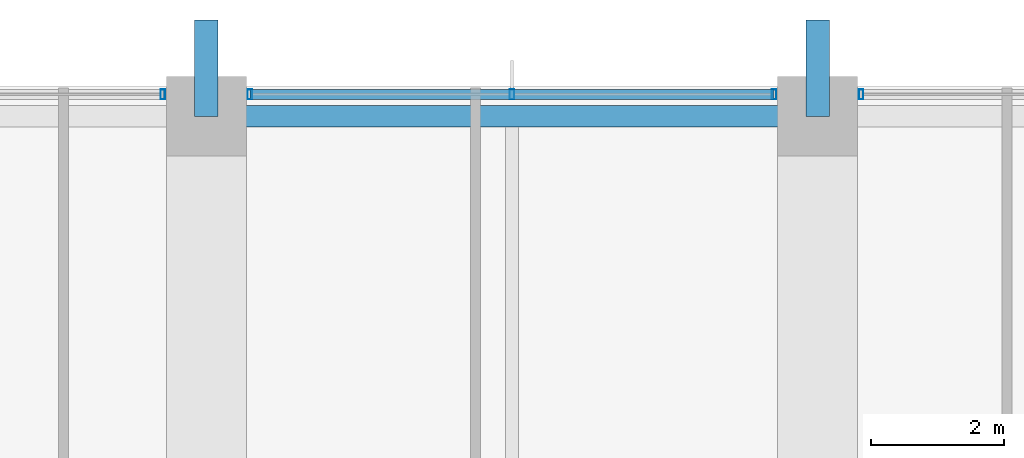
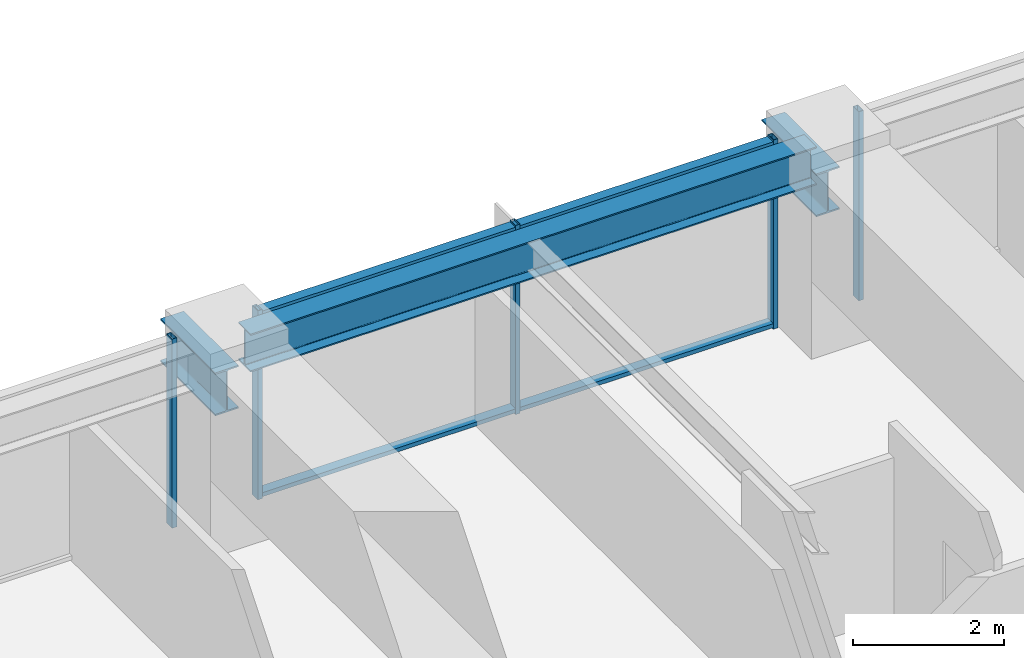
# One storey, part 24 of 39: 7 members, 3 beams, 3 elements without a shape of their own.
"""IFC4 building model written with IfcOpenShell, lengths in metres."""

from ifc_helpers import new_model, si_unit, direction, frame, origin, origin_2d, place, context, subcontext, project, spatial, hollow_rectangle, i_section, extrude, material, material_profile, profile_set, type_object, element, aggregate, save


model = new_model("IFC4")

# Units and contexts
model_context = context("Model", 3, precision=1e-05, world=origin(), true_north=direction((0.0, 1.0)))
body_context = subcontext(model_context, "Body", "Model", "MODEL_VIEW")
ifc_project = project(units=[si_unit("LENGTHUNIT", "METRE"), si_unit("AREAUNIT", "SQUARE_METRE"), si_unit("VOLUMEUNIT", "CUBIC_METRE"), si_unit("PLANEANGLEUNIT", "RADIAN"), si_unit("MASSUNIT", "GRAM", prefix="KILO")], contexts=[model_context])

# Site, building, storey
site_placement = place(None, origin())
site = spatial("IfcSite", under=ifc_project, at=site_placement, CompositionType="ELEMENT")
building_placement = place(site_placement, origin())
building = spatial("IfcBuilding", under=site, at=building_placement, Name="Kolvaren Belvedere", CompositionType="ELEMENT")
storey_placement = place(building_placement, frame((0.0, 0.0, 40.300048828125)))
storey = spatial("IfcBuildingStorey", under=building, at=storey_placement, Name="L11", CompositionType="ELEMENT", Elevation=40.300048828125)

# Beams
ifc_material_1 = material(Name="Structural steel ASTM A992 Grade 50", Category="steel")
ifc_material_profile_1 = material_profile(ifc_material_1, i_section(OverallWidth=0.35498046875, OverallDepth=0.696044921875, WebThickness=0.015380859375, FlangeThickness=0.02490234375, FilletRadius=0.02197265625, at=origin_2d()), Name="W27X146")
ifc_profile_set_1 = profile_set([ifc_material_profile_1], Name="Structural steel ASTM A992 Grade 50")
beam_type_1 = type_object("IfcBeamType", Name="BM-CANT-BAL", PredefinedType="BEAM", material=ifc_profile_set_1)
for number, where, z_axis, x_axis, name in (
    (1, (4.60009765625, 21.550048828125, 2.141845703125), (0.0, 1.0, 0.0), (-1.0, 0.0, 0.0), "L11 North Picture-Frame Column Corbel P"),
    (2, (-4.60009765625, 21.550048828125, 2.141845703125), (0.0, 1.0, 0.0), (-1.0, 0.0, 0.0), "L11 North Picture-Frame Column Corbel M"),
):
    element("IfcBeam", number, at=place(storey_placement, frame(where, z_axis=z_axis, x_axis=x_axis)), inside=storey, type_object=beam_type_1, Name=name, PredefinedType="BEAM", context=body_context, shape_type="SweptSolid", body=[
        extrude(i_section(OverallWidth=0.35498046875, OverallDepth=0.696044921875, WebThickness=0.015380859375, FlangeThickness=0.02490234375, FilletRadius=0.02197265625, at=origin_2d()), origin(), (0.0, 0.0, 1.0), 1.449951171875),
    ])
ifc_material_2 = material(Name="Structural steel ASTM A992 Grade 50", Category="steel")
ifc_material_profile_2 = material_profile(ifc_material_2, i_section(OverallWidth=0.324951171875, OverallDepth=0.615966796875, WebThickness=0.013916015625, FlangeThickness=0.021484375, FilletRadius=0.02001953125, at=origin_2d()), Name="W24X117")
ifc_profile_set_2 = profile_set([ifc_material_profile_2], Name="Structural steel ASTM A992 Grade 50")
beam_type_2 = type_object("IfcBeamType", Name="BM-SPAN-W24X117", PredefinedType="SPANDREL", material=ifc_profile_set_2)
beam_placement = place(storey_placement, frame((4.330078125, 21.550048828125, 2.751953125), z_axis=(-1.0, 0.0, 0.0), x_axis=(0.0, -1.0, 0.0)))
element("IfcBeam", 3, at=beam_placement, inside=storey, type_object=beam_type_2, Name="L11 Perimeter Spandrel N3-N2", PredefinedType="SPANDREL", context=body_context, shape_type="SweptSolid", body=[
    extrude(i_section(OverallWidth=0.324951171875, OverallDepth=0.615966796875, WebThickness=0.013916015625, FlangeThickness=0.021484375, FilletRadius=0.02001953125, at=origin_2d()), origin(), (0.0, 0.0, 1.0), 8.66015625),
])

# Curtain wall, member
ifc_material_3 = material(Name="Anodised pale-metal aluminium AA 6063-T6", Category="aluminium")
curtain_wall_type = type_object("IfcCurtainWallType", Name="CW-Z1-LOW", PredefinedType="NOTDEFINED", material=ifc_material_3)
curtain_wall_1_placement = place(storey_placement, origin())
curtain_wall_1 = element("IfcCurtainWall", 4, at=curtain_wall_1_placement, inside=storey, type_object=curtain_wall_type, Name="L11 Unitised Curtain Wall FCW-L11-N-B1", PredefinedType="NOTDEFINED")
ifc_material_4 = material(Name="Anodised pale-metal aluminium AA 6063-T6", Category="aluminium")
ifc_material_profile_3 = material_profile(ifc_material_4, hollow_rectangle(XDim=0.070068359375, YDim=0.14990234375, WallThickness=0.004150390625, at=origin_2d()), Name="ALU-MUL-150X70")
ifc_profile_set_3 = profile_set([ifc_material_profile_3], Name="Anodised pale-metal aluminium AA 6063-T6")
member_type_1 = type_object("IfcMemberType", Name="CW-MUL-150", PredefinedType="MULLION", material=ifc_profile_set_3)
member_1_placement = place(storey_placement, frame((-5.2548828125, 21.8798828125, 0.0), z_axis=(0.0, 0.0, 1.0), x_axis=(1.0, 0.0, 0.0)))
member_1 = element("IfcMember", 5, at=member_1_placement, type_object=member_type_1, Name="FCW-L11-N-B1 Unitised Mullion 3", PredefinedType="MULLION", context=body_context, shape_type="SweptSolid", body=[
    extrude(hollow_rectangle(XDim=0.070068359375, YDim=0.14990234375, WallThickness=0.004150390625, at=origin_2d()), origin(), (0.0, 0.0, 1.0), 3.06005859375),
])
aggregate(curtain_wall_1, [member_1])

# Curtain wall, members
curtain_wall_2_placement = place(storey_placement, origin())
curtain_wall_2 = element("IfcCurtainWall", 6, at=curtain_wall_2_placement, inside=storey, type_object=curtain_wall_type, Name="L11 Unitised Curtain Wall FCW-L11-N-B2", PredefinedType="NOTDEFINED")
member_2_placement = place(storey_placement, frame((-3.945068359375, 21.8798828125, 0.0), z_axis=(0.0, 0.0, 1.0), x_axis=(1.0, 0.0, 0.0)))
member_2 = element("IfcMember", 7, at=member_2_placement, type_object=member_type_1, Name="FCW-L11-N-B2 Unitised Mullion 1", PredefinedType="MULLION", context=body_context, shape_type="SweptSolid", body=[
    extrude(hollow_rectangle(XDim=0.070068359375, YDim=0.14990234375, WallThickness=0.004150390625, at=origin_2d()), origin(), (0.0, 0.0, 1.0), 3.06005859375),
])
member_3_placement = place(storey_placement, frame((0.0, 21.8798828125, 0.0), z_axis=(0.0, 0.0, 1.0), x_axis=(1.0, 0.0, 0.0)))
member_3 = element("IfcMember", 8, at=member_3_placement, type_object=member_type_1, Name="FCW-L11-N-B2 Unitised Mullion 2", PredefinedType="MULLION", context=body_context, shape_type="SweptSolid", body=[
    extrude(hollow_rectangle(XDim=0.070068359375, YDim=0.14990234375, WallThickness=0.004150390625, at=origin_2d()), origin(), (0.0, 0.0, 1.0), 3.06005859375),
])
member_4_placement = place(storey_placement, frame((3.945068359375, 21.8798828125, 0.0), z_axis=(0.0, 0.0, 1.0), x_axis=(1.0, 0.0, 0.0)))
member_4 = element("IfcMember", 9, at=member_4_placement, type_object=member_type_1, Name="FCW-L11-N-B2 Unitised Mullion 3", PredefinedType="MULLION", context=body_context, shape_type="SweptSolid", body=[
    extrude(hollow_rectangle(XDim=0.070068359375, YDim=0.14990234375, WallThickness=0.004150390625, at=origin_2d()), origin(), (0.0, 0.0, 1.0), 3.06005859375),
])

# Curtain wall, member
curtain_wall_3_placement = place(storey_placement, origin())
curtain_wall_3 = element("IfcCurtainWall", 10, at=curtain_wall_3_placement, inside=storey, type_object=curtain_wall_type, Name="L11 Unitised Curtain Wall FCW-L11-N-B3", PredefinedType="NOTDEFINED")
member_5_placement = place(storey_placement, frame((5.2548828125, 21.8798828125, 0.0), z_axis=(0.0, 0.0, 1.0), x_axis=(1.0, 0.0, 0.0)))
member_5 = element("IfcMember", 11, at=member_5_placement, type_object=member_type_1, Name="FCW-L11-N-B3 Unitised Mullion 1", PredefinedType="MULLION", context=body_context, shape_type="SweptSolid", body=[
    extrude(hollow_rectangle(XDim=0.070068359375, YDim=0.14990234375, WallThickness=0.004150390625, at=origin_2d()), origin(), (0.0, 0.0, 1.0), 3.06005859375),
])
aggregate(curtain_wall_3, [member_5])

# Member
ifc_material_5 = material(Name="Anodised pale-metal aluminium AA 6063-T6", Category="aluminium")
ifc_material_profile_4 = material_profile(ifc_material_5, hollow_rectangle(XDim=0.06494140625, YDim=0.14990234375, WallThickness=0.00390625, at=origin_2d()), Name="ALU-TRN-150X65")
ifc_profile_set_4 = profile_set([ifc_material_profile_4], Name="Anodised pale-metal aluminium AA 6063-T6")
member_type_2 = type_object("IfcMemberType", Name="CW-TRN-150", PredefinedType="USERDEFINED", material=ifc_profile_set_4)
member_6_placement = place(storey_placement, frame((-3.945068359375, 21.8798828125, 0.06005859375), z_axis=(1.0, 0.0, 0.0), x_axis=(0.0, 0.0, 1.0)))
member_6 = element("IfcMember", 12, at=member_6_placement, type_object=member_type_2, Name="FCW-L11-N-B2 Sill Transom", ObjectType="TRANSOM", PredefinedType="USERDEFINED", context=body_context, shape_type="SweptSolid", body=[
    extrude(hollow_rectangle(XDim=0.06494140625, YDim=0.14990234375, WallThickness=0.00390625, at=origin_2d()), origin(), (0.0, 0.0, 1.0), 7.89013671875),
])

member_7_placement = place(storey_placement, frame((-3.945068359375, 21.8798828125, 3.0), z_axis=(1.0, 0.0, 0.0), x_axis=(0.0, 0.0, 1.0)))
member_7 = element("IfcMember", 13, at=member_7_placement, type_object=member_type_2, Name="FCW-L11-N-B2 Head Transom", ObjectType="TRANSOM", PredefinedType="USERDEFINED", context=body_context, shape_type="SweptSolid", body=[
    extrude(hollow_rectangle(XDim=0.06494140625, YDim=0.14990234375, WallThickness=0.00390625, at=origin_2d()), origin(), (0.0, 0.0, 1.0), 7.89013671875),
])

aggregate(curtain_wall_2, [member_2, member_3, member_4, member_6, member_7])

save(model, "model.ifc")
